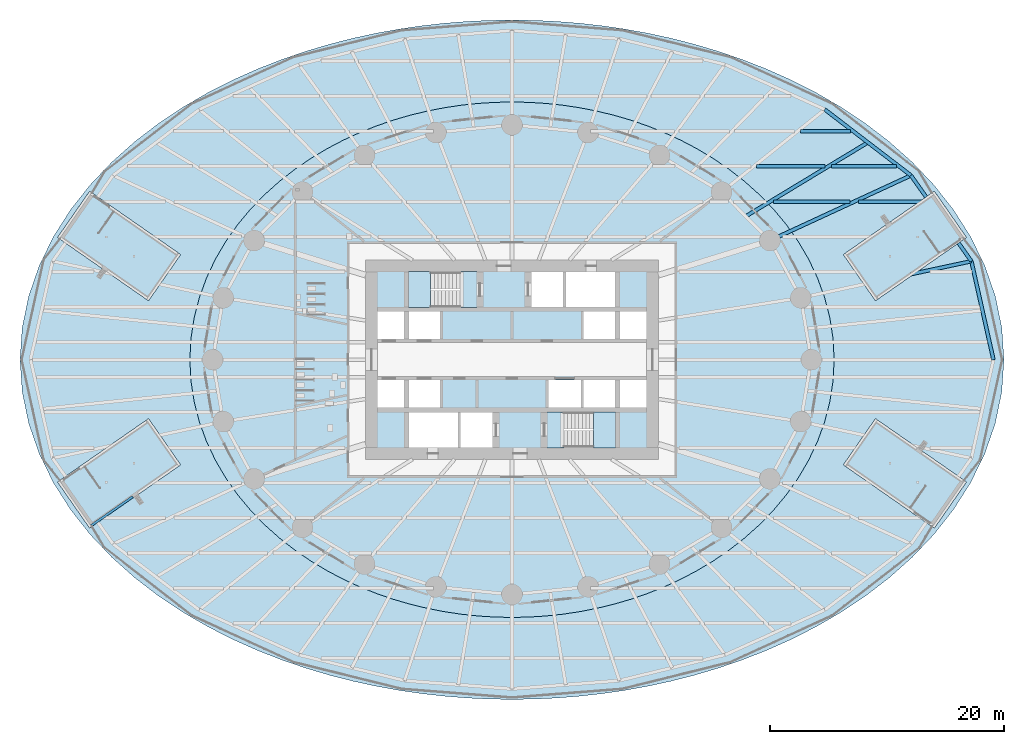
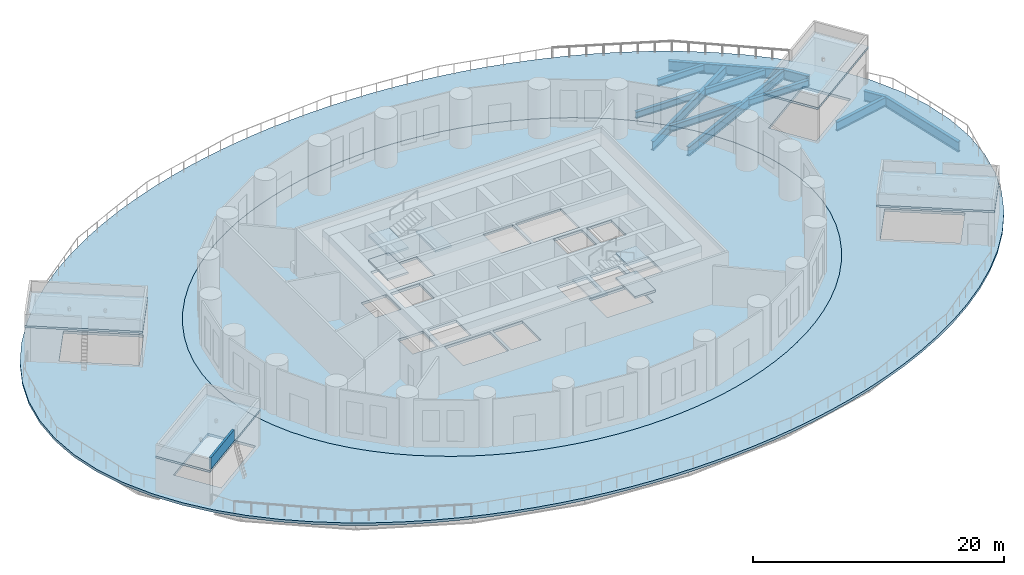
# One storey, part 6 of 17: 12 beams, 12 slabs, 1 wall, 2 elements without a shape of their own.
"""IFC4 building model written with IfcOpenShell, lengths in metres."""

from ifc_helpers import new_model, si_unit, direction, frame, frame_2d, origin, origin_2d, place, context, subcontext, project, spatial, polyline, rectangle, i_section, outline, extrude, material, layer, layer_set, material_profile, profile_set, type_object, element, aggregate, save


model = new_model("IFC4")

# Units and contexts
model_context = context("Model", 3, precision=1e-05, world=origin(), true_north=direction((0.0, 1.0)))
body_context = subcontext(model_context, "Body", "Model", "MODEL_VIEW")
ifc_project = project(units=[si_unit("LENGTHUNIT", "METRE"), si_unit("AREAUNIT", "SQUARE_METRE"), si_unit("VOLUMEUNIT", "CUBIC_METRE"), si_unit("PLANEANGLEUNIT", "RADIAN"), si_unit("MASSUNIT", "GRAM", prefix="KILO")], contexts=[model_context])

# Site, building, storey
site_placement = place(None, origin())
site = spatial("IfcSite", under=ifc_project, at=site_placement, CompositionType="ELEMENT")
building_placement = place(site_placement, origin())
building = spatial("IfcBuilding", under=site, at=building_placement, Name="Hankou Lantern Tower", CompositionType="ELEMENT")
storey_placement = place(building_placement, frame((0.0, 0.0, 24.60009765625)))
storey = spatial("IfcBuildingStorey", under=building, at=storey_placement, Name="L04", CompositionType="ELEMENT", Elevation=24.60009765625)

# Beams
ifc_material_1 = material(Name="Steel Q355B", Category="steel")
ifc_material_profile_1 = material_profile(ifc_material_1, i_section(OverallWidth=0.300048828125, OverallDepth=0.89990234375, WebThickness=0.01611328125, FlangeThickness=0.028076171875, FilletRadius=0.01806640625, at=origin_2d()), Name="HN900x300x16x28")
ifc_profile_set_1 = profile_set([ifc_material_profile_1], Name="Steel Q355B")
beam_type_1 = type_object("IfcBeamType", Name="PB13 PODIUM RADIAL BEAM HN900x300x16x28", PredefinedType="BEAM", material=ifc_profile_set_1)
beam_1_placement = place(storey_placement, frame((34.01025390625, 7.29052734375, -0.7001953125), z_axis=(0.977788323488, 0.209594834028, 0.0), x_axis=(-0.209594834028, 0.977788323488, 0.0)))
element("IfcBeam", 1, at=beam_1_placement, inside=storey, type_object=beam_type_1, Name="Podium radial beam R02 L04 outer part", PredefinedType="BEAM", context=body_context, shape_type="SweptSolid", body=[
    extrude(i_section(OverallWidth=0.300048828125, OverallDepth=0.89990234375, WebThickness=0.01611328125, FlangeThickness=0.028076171875, FilletRadius=0.01806640625, at=origin_2d()), origin(), (0.0, 0.0, 1.0), 5.32568359375),
])
beam_2_placement = place(storey_placement, frame((22.01904296875, 10.170166015625, -0.7001953125), z_axis=(0.907840792808, 0.419315030633, 0.0), x_axis=(-0.419315030633, 0.907840792808, 0.0)))
element("IfcBeam", 2, at=beam_2_placement, inside=storey, type_object=beam_type_1, Name="Podium radial beam R03 L04", PredefinedType="BEAM", context=body_context, shape_type="SweptSolid", body=[
    extrude(i_section(OverallWidth=0.300048828125, OverallDepth=0.89990234375, WebThickness=0.01611328125, FlangeThickness=0.028076171875, FilletRadius=0.01806640625, at=origin_2d()), origin(), (0.0, 0.0, 1.0), 13.259765625),
])
ifc_material_2 = material(Name="Steel Q355B", Category="steel")
ifc_material_profile_2 = material_profile(ifc_material_2, i_section(OverallWidth=0.300048828125, OverallDepth=1.0, WebThickness=0.01904296875, FlangeThickness=0.035888671875, FilletRadius=0.01806640625, at=origin_2d()), Name="HN1000x300x19x36")
ifc_profile_set_2 = profile_set([ifc_material_profile_2], Name="Steel Q355B")
beam_type_2 = type_object("IfcBeamType", Name="PR22 PODIUM RING BEAM HN1000x300x19x36", PredefinedType="BEAM", material=ifc_profile_set_2)
beam_3_placement = place(storey_placement, frame((41.10009765625, 0.0, -0.75), z_axis=(-0.218523498172, 0.975831686689, 0.0), x_axis=(-0.975831686689, -0.218523498172, 0.0)))
element("IfcBeam", 3, at=beam_3_placement, inside=storey, type_object=beam_type_2, Name="Podium ring beam R01-R02 L04", PredefinedType="BEAM", context=body_context, shape_type="SweptSolid", body=[
    extrude(i_section(OverallWidth=0.300048828125, OverallDepth=1.0, WebThickness=0.01904296875, FlangeThickness=0.035888671875, FilletRadius=0.01806640625, at=origin_2d()), origin(), (0.0, 0.0, 1.0), 8.614990234375),
])
beam_4_placement = place(storey_placement, frame((39.217529296875, 8.40673828125, -0.75), z_axis=(-0.576019631526, 0.817435859317, 0.0), x_axis=(-0.817435859317, -0.576019631526, 0.0)))
element("IfcBeam", 4, at=beam_4_placement, inside=storey, type_object=beam_type_2, Name="Podium ring beam R02-R03 L04 west part", PredefinedType="BEAM", context=body_context, shape_type="SweptSolid", body=[
    extrude(i_section(OverallWidth=0.300048828125, OverallDepth=1.0, WebThickness=0.01904296875, FlangeThickness=0.035888671875, FilletRadius=0.01806640625, at=origin_2d()), origin(), (0.0, 0.0, 1.0), 1.9072265625),
])
beam_5_placement = place(storey_placement, frame((35.35400390625, 13.889404296875, -0.75), z_axis=(-0.576006222853, 0.817445307794, 0.0), x_axis=(-0.817445307794, -0.576006222853, 0.0)))
element("IfcBeam", 5, at=beam_5_placement, inside=storey, type_object=beam_type_2, Name="Podium ring beam R02-R03 L04 east part", PredefinedType="BEAM", context=body_context, shape_type="SweptSolid", body=[
    extrude(i_section(OverallWidth=0.300048828125, OverallDepth=1.0, WebThickness=0.01904296875, FlangeThickness=0.035888671875, FilletRadius=0.01806640625, at=origin_2d()), origin(), (0.0, 0.0, 1.0), 2.251953125),
])
beam_6_placement = place(storey_placement, frame((34.056884765625, 15.730224609375, -0.75), z_axis=(-0.793985875103, 0.607936205647, 0.0), x_axis=(-0.607936205647, -0.793985875103, 0.0)))
element("IfcBeam", 6, at=beam_6_placement, inside=storey, type_object=beam_type_2, Name="Podium ring beam R03-R04 L04", PredefinedType="BEAM", context=body_context, shape_type="SweptSolid", body=[
    extrude(i_section(OverallWidth=0.300048828125, OverallDepth=1.0, WebThickness=0.01904296875, FlangeThickness=0.035888671875, FilletRadius=0.01806640625, at=origin_2d()), origin(), (0.0, 0.0, 1.0), 9.262939453125),
])
ifc_material_3 = material(Name="Steel Q355B", Category="steel")
ifc_material_profile_3 = material_profile(ifc_material_3, i_section(OverallWidth=0.300048828125, OverallDepth=0.89990234375, WebThickness=0.01611328125, FlangeThickness=0.028076171875, FilletRadius=0.01806640625, at=origin_2d()), Name="HN900x300x16x28")
ifc_profile_set_3 = profile_set([ifc_material_profile_3], Name="Steel Q355B")
beam_type_3 = type_object("IfcBeamType", Name="PS13 PODIUM SECONDARY BEAM HN900x300x16x28", PredefinedType="JOIST", material=ifc_profile_set_3)
beam_7_placement = place(storey_placement, frame((19.955322265625, 12.24169921875, -0.7001953125), z_axis=(0.855685755165, 0.517495785884, 0.0), x_axis=(-0.517495785884, 0.855685755165, 0.0)))
element("IfcBeam", 7, at=beam_7_placement, inside=storey, type_object=beam_type_3, Name="Podium secondary beam bay R03 L04", PredefinedType="JOIST", context=body_context, shape_type="SweptSolid", body=[
    extrude(i_section(OverallWidth=0.300048828125, OverallDepth=0.89990234375, WebThickness=0.01611328125, FlangeThickness=0.028076171875, FilletRadius=0.01806640625, at=origin_2d()), origin(), (0.0, 0.0, 1.0), 12.18212890625),
])
ifc_material_4 = material(Name="Steel Q355B", Category="steel")
ifc_material_profile_4 = material_profile(ifc_material_4, i_section(OverallWidth=0.300048828125, OverallDepth=0.64990234375, WebThickness=0.010986328125, FlangeThickness=0.01708984375, FilletRadius=0.01806640625, at=origin_2d()), Name="HN650x300x11x17")
ifc_profile_set_4 = profile_set([ifc_material_profile_4], Name="Steel Q355B")
beam_type_4 = type_object("IfcBeamType", Name="SB8 SECONDARY BEAM HN650x300x11x17", PredefinedType="JOIST", material=ifc_profile_set_4)
beam_8_placement = place(storey_placement, frame((22.32568359375, 13.5, -0.5751953125), z_axis=(1.0, 0.0, 0.0), x_axis=(0.0, 1.0, 0.0)))
element("IfcBeam", 8, at=beam_8_placement, inside=storey, type_object=beam_type_4, Name="Floor joist JT067 L04", PredefinedType="JOIST", context=body_context, shape_type="SweptSolid", body=[
    extrude(i_section(OverallWidth=0.300048828125, OverallDepth=0.64990234375, WebThickness=0.010986328125, FlangeThickness=0.01708984375, FilletRadius=0.01806640625, at=origin_2d()), origin(), (0.0, 0.0, 1.0), 6.544921875),
])
beam_9_placement = place(storey_placement, frame((29.586181640625, 13.5, -0.5751953125), z_axis=(1.0, 0.0, 0.0), x_axis=(0.0, 1.0, 0.0)))
element("IfcBeam", 9, at=beam_9_placement, inside=storey, type_object=beam_type_4, Name="Floor joist JT068 L04", PredefinedType="JOIST", context=body_context, shape_type="SweptSolid", body=[
    extrude(i_section(OverallWidth=0.300048828125, OverallDepth=0.64990234375, WebThickness=0.010986328125, FlangeThickness=0.01708984375, FilletRadius=0.01806640625, at=origin_2d()), origin(), (0.0, 0.0, 1.0), 5.470703125),
])
beam_10_placement = place(storey_placement, frame((20.865234375, 16.5, -0.5751953125), z_axis=(1.0, 0.0, 0.0), x_axis=(0.0, 1.0, 0.0)))
element("IfcBeam", 10, at=beam_10_placement, inside=storey, type_object=beam_type_4, Name="Floor joist JT073 L04", PredefinedType="JOIST", context=body_context, shape_type="SweptSolid", body=[
    extrude(i_section(OverallWidth=0.300048828125, OverallDepth=0.64990234375, WebThickness=0.010986328125, FlangeThickness=0.01708984375, FilletRadius=0.01806640625, at=origin_2d()), origin(), (0.0, 0.0, 1.0), 5.84130859375),
])
beam_11_placement = place(storey_placement, frame((27.286376953125, 16.5, -0.5751953125), z_axis=(1.0, 0.0, 0.0), x_axis=(0.0, 1.0, 0.0)))
element("IfcBeam", 11, at=beam_11_placement, inside=storey, type_object=beam_type_4, Name="Floor joist JT074 L04", PredefinedType="JOIST", context=body_context, shape_type="SweptSolid", body=[
    extrude(i_section(OverallWidth=0.300048828125, OverallDepth=0.64990234375, WebThickness=0.010986328125, FlangeThickness=0.01708984375, FilletRadius=0.01806640625, at=origin_2d()), origin(), (0.0, 0.0, 1.0), 5.518310546875),
])
beam_12_placement = place(storey_placement, frame((24.615234375, 19.5, -0.5751953125), z_axis=(1.0, 0.0, 0.0), x_axis=(0.0, 1.0, 0.0)))
element("IfcBeam", 12, at=beam_12_placement, inside=storey, type_object=beam_type_4, Name="Floor joist JT084 L04", PredefinedType="JOIST", context=body_context, shape_type="SweptSolid", body=[
    extrude(i_section(OverallWidth=0.300048828125, OverallDepth=0.64990234375, WebThickness=0.010986328125, FlangeThickness=0.01708984375, FilletRadius=0.01806640625, at=origin_2d()), origin(), (0.0, 0.0, 1.0), 4.271484375),
])

# Slabs
ifc_material_5 = material(Name="Concrete C50", Category="concrete")
ifc_layer_1 = layer(ifc_material_5, 0.25)
ifc_layer_set_1 = layer_set([ifc_layer_1], Name="Concrete C50")
slab_type_1 = type_object("IfcSlabType", Name="S2 HEAVY FLOOR SLAB 250", PredefinedType="FLOOR", material=ifc_layer_set_1)
slab_1_placement = place(storey_placement, frame((0.0, 0.0, -0.25)))
element("IfcSlab", 13, at=slab_1_placement, inside=storey, type_object=slab_type_1, Name="Floor slab L04", PredefinedType="FLOOR", context=body_context, shape_type="SweptSolid", body=[
    extrude(outline(polyline([(27.5, 0.0), (27.408203125, 1.79638671875), (27.135009765625, 3.572509765625), (26.6875, 5.308349609375), (26.076171875, 6.987060546875), (25.3154296875, 8.593505859375), (24.420654296875, 10.115478515625), (23.40966796875, 11.54443359375), (22.29931640625, 12.87451171875), (21.1064453125, 14.102783203125), (19.846435546875, 15.228759765625), (18.533447265625, 16.25341796875), (17.17919921875, 17.17919921875), (15.794189453125, 18.009765625), (14.38671875, 18.749267578125), (12.964111328125, 19.402099609375), (11.53125, 19.972412109375), (10.09228515625, 20.46484375), (8.650146484375, 20.88330078125), (7.20703125, 21.23095703125), (5.763916015625, 21.51123046875), (4.32177734375, 21.7265625), (2.88037109375, 21.87890625), (1.43994140625, 21.9697265625), (0.0, 22.0), (-1.43994140625, 21.9697265625), (-2.88037109375, 21.87890625), (-4.32177734375, 21.7265625), (-5.763916015625, 21.51123046875), (-7.20703125, 21.23095703125), (-8.650146484375, 20.88330078125), (-10.09228515625, 20.46484375), (-11.53125, 19.972412109375), (-12.964111328125, 19.402099609375), (-14.38671875, 18.749267578125), (-15.794189453125, 18.009765625), (-17.17919921875, 17.17919921875), (-18.533447265625, 16.25341796875), (-19.846435546875, 15.228759765625), (-21.1064453125, 14.102783203125), (-22.29931640625, 12.87451171875), (-23.40966796875, 11.54443359375), (-24.420654296875, 10.115478515625), (-25.3154296875, 8.593505859375), (-26.076171875, 6.987060546875), (-26.6875, 5.308349609375), (-27.135009765625, 3.572509765625), (-27.408203125, 1.79638671875), (-27.5, 0.0), (-27.408203125, -1.79638671875), (-27.135009765625, -3.572509765625), (-26.6875, -5.308349609375), (-26.076171875, -6.987060546875), (-25.3154296875, -8.593505859375), (-24.420654296875, -10.115478515625), (-23.40966796875, -11.54443359375), (-22.29931640625, -12.87451171875), (-21.1064453125, -14.102783203125), (-19.846435546875, -15.228759765625), (-18.533447265625, -16.25341796875), (-17.17919921875, -17.17919921875), (-15.794189453125, -18.009765625), (-14.38671875, -18.749267578125), (-12.964111328125, -19.402099609375), (-11.53125, -19.972412109375), (-10.09228515625, -20.46484375), (-8.650146484375, -20.88330078125), (-7.20703125, -21.23095703125), (-5.763916015625, -21.51123046875), (-4.32177734375, -21.7265625), (-2.88037109375, -21.87890625), (-1.43994140625, -21.9697265625), (0.0, -22.0), (1.43994140625, -21.9697265625), (2.88037109375, -21.87890625), (4.32177734375, -21.7265625), (5.763916015625, -21.51123046875), (7.20703125, -21.23095703125), (8.650146484375, -20.88330078125), (10.09228515625, -20.46484375), (11.53125, -19.972412109375), (12.964111328125, -19.402099609375), (14.38671875, -18.749267578125), (15.794189453125, -18.009765625), (17.17919921875, -17.17919921875), (18.533447265625, -16.25341796875), (19.846435546875, -15.228759765625), (21.1064453125, -14.102783203125), (22.29931640625, -12.87451171875), (23.40966796875, -11.54443359375), (24.420654296875, -10.115478515625), (25.3154296875, -8.593505859375), (26.076171875, -6.987060546875), (26.6875, -5.308349609375), (27.135009765625, -3.572509765625), (27.408203125, -1.79638671875), (27.5, 0.0)]), holes=[polyline([(-11.5, 4.10009765625), (-9.199951171875, 4.10009765625), (-9.199951171875, 1.75), (-11.5, 1.75), (-11.5, 4.10009765625)]), polyline([(-8.800048828125, 4.10009765625), (-6.125, 4.10009765625), (-6.125, 1.75), (-8.800048828125, 1.75), (-8.800048828125, 4.10009765625)]), polyline([(6.125, 4.10009765625), (8.800048828125, 4.10009765625), (8.800048828125, 1.75), (6.125, 1.75), (6.125, 4.10009765625)]), polyline([(9.199951171875, 4.10009765625), (11.5, 4.10009765625), (11.5, 1.75), (9.199951171875, 1.75), (9.199951171875, 4.10009765625)]), polyline([(-11.5, -1.75), (-9.199951171875, -1.75), (-9.199951171875, -4.10009765625), (-11.5, -4.10009765625), (-11.5, -1.75)]), polyline([(-8.800048828125, -1.75), (-6.125, -1.75), (-6.125, -4.10009765625), (-8.800048828125, -4.10009765625), (-8.800048828125, -1.75)]), polyline([(3.125, -1.75), (5.875, -1.75), (5.875, -4.10009765625), (3.125, -4.10009765625), (3.125, -1.75)]), polyline([(6.125, -1.75), (8.800048828125, -1.75), (8.800048828125, -4.10009765625), (6.125, -4.10009765625), (6.125, -1.75)]), polyline([(9.199951171875, -1.75), (11.5, -1.75), (11.5, -4.10009765625), (9.199951171875, -4.10009765625), (9.199951171875, -1.75)]), polyline([(1.64990234375, 7.5), (4.375, 7.5), (4.375, 4.5), (1.64990234375, 4.5), (1.64990234375, 7.5)]), polyline([(-4.375, -4.5), (-1.64990234375, -4.5), (-1.64990234375, -7.5), (-4.375, -7.5), (-4.375, -4.5)]), polyline([(-8.699951171875, 7.449951171875), (-4.449951171875, 7.449951171875), (-4.449951171875, 4.5), (-8.699951171875, 4.5), (-8.699951171875, 7.449951171875)]), polyline([(4.449951171875, -4.5), (8.699951171875, -4.5), (8.699951171875, -7.449951171875), (4.449951171875, -7.449951171875), (4.449951171875, -4.5)]), polyline([(4.625, 7.5), (8.800048828125, 7.5), (8.800048828125, 4.5), (4.625, 4.5), (4.625, 7.5)]), polyline([(-8.800048828125, -4.5), (-4.625, -4.5), (-4.625, -7.5), (-8.800048828125, -7.5), (-8.800048828125, -4.5)])]), origin(), (0.0, 0.0, 1.0), 0.25),
])
ifc_material_6 = material(Name="Concrete C50", Category="concrete")
ifc_layer_2 = layer(ifc_material_6, 0.25)
ifc_layer_set_2 = layer_set([ifc_layer_2], Name="Concrete C50")
slab_type_2 = type_object("IfcSlabType", Name="S5 ROOF TERRACE SLAB 250", PredefinedType="ROOF", material=ifc_layer_set_2)
slab_2_placement = place(storey_placement, frame((0.0, 0.0, -0.25)))
element("IfcSlab", 14, at=slab_2_placement, inside=storey, type_object=slab_type_2, Name="Podium roof terrace", PredefinedType="ROOF", context=body_context, shape_type="SweptSolid", body=[
    extrude(outline(polyline([(42.0, 0.0), (41.81201171875, 2.740478515625), (41.2568359375, 5.431640625), (40.358642578125, 8.02783203125), (39.155029296875, 10.491455078125), (37.69140625, 12.79443359375), (36.016357421875, 14.91845703125), (34.177978515625, 16.854736328125), (32.220458984375, 18.6025390625), (30.181884765625, 20.166748046875), (28.09375, 21.55712890625), (25.981689453125, 22.78515625), (23.864013671875, 23.864013671875), (21.7548828125, 24.806640625), (19.6630859375, 25.62548828125), (17.594970703125, 26.33251953125), (15.552978515625, 26.9384765625), (13.537841796875, 27.4521484375), (11.549072265625, 27.882080078125), (9.58447265625, 28.23486328125), (7.640869140625, 28.51611328125), (5.71484375, 28.730224609375), (3.80224609375, 28.880859375), (1.89892578125, 28.970458984375), (0.0, 29.0), (-1.89892578125, 28.970458984375), (-3.80224609375, 28.880859375), (-5.71484375, 28.730224609375), (-7.640869140625, 28.51611328125), (-9.58447265625, 28.23486328125), (-11.549072265625, 27.882080078125), (-13.537841796875, 27.4521484375), (-15.552978515625, 26.9384765625), (-17.594970703125, 26.33251953125), (-19.6630859375, 25.62548828125), (-21.7548828125, 24.806640625), (-23.864013671875, 23.864013671875), (-25.981689453125, 22.78515625), (-28.09375, 21.55712890625), (-30.181884765625, 20.166748046875), (-32.220458984375, 18.6025390625), (-34.177978515625, 16.854736328125), (-36.016357421875, 14.91845703125), (-37.69140625, 12.79443359375), (-39.155029296875, 10.491455078125), (-40.358642578125, 8.02783203125), (-41.2568359375, 5.431640625), (-41.81201171875, 2.740478515625), (-42.0, 0.0), (-41.81201171875, -2.740478515625), (-41.2568359375, -5.431640625), (-40.358642578125, -8.02783203125), (-39.155029296875, -10.491455078125), (-37.69140625, -12.79443359375), (-36.016357421875, -14.91845703125), (-34.177978515625, -16.854736328125), (-32.220458984375, -18.6025390625), (-30.181884765625, -20.166748046875), (-28.09375, -21.55712890625), (-25.981689453125, -22.78515625), (-23.864013671875, -23.864013671875), (-21.7548828125, -24.806640625), (-19.6630859375, -25.62548828125), (-17.594970703125, -26.33251953125), (-15.552978515625, -26.9384765625), (-13.537841796875, -27.4521484375), (-11.549072265625, -27.882080078125), (-9.58447265625, -28.23486328125), (-7.640869140625, -28.51611328125), (-5.71484375, -28.730224609375), (-3.80224609375, -28.880859375), (-1.89892578125, -28.970458984375), (0.0, -29.0), (1.89892578125, -28.970458984375), (3.80224609375, -28.880859375), (5.71484375, -28.730224609375), (7.640869140625, -28.51611328125), (9.58447265625, -28.23486328125), (11.549072265625, -27.882080078125), (13.537841796875, -27.4521484375), (15.552978515625, -26.9384765625), (17.594970703125, -26.33251953125), (19.6630859375, -25.62548828125), (21.7548828125, -24.806640625), (23.864013671875, -23.864013671875), (25.981689453125, -22.78515625), (28.09375, -21.55712890625), (30.181884765625, -20.166748046875), (32.220458984375, -18.6025390625), (34.177978515625, -16.854736328125), (36.016357421875, -14.91845703125), (37.69140625, -12.79443359375), (39.155029296875, -10.491455078125), (40.358642578125, -8.02783203125), (41.2568359375, -5.431640625), (41.81201171875, -2.740478515625), (42.0, 0.0)]), holes=[polyline([(27.408203125, -1.79638671875), (27.135009765625, -3.572509765625), (26.6875, -5.308349609375), (26.076171875, -6.987060546875), (25.3154296875, -8.593505859375), (24.420654296875, -10.115478515625), (23.40966796875, -11.54443359375), (22.29931640625, -12.87451171875), (21.1064453125, -14.102783203125), (19.846435546875, -15.228759765625), (18.533447265625, -16.25341796875), (17.17919921875, -17.17919921875), (15.794189453125, -18.009765625), (14.38671875, -18.749267578125), (12.964111328125, -19.402099609375), (11.53125, -19.972412109375), (10.09228515625, -20.46484375), (8.650146484375, -20.88330078125), (7.20703125, -21.23095703125), (5.763916015625, -21.51123046875), (4.32177734375, -21.7265625), (2.88037109375, -21.87890625), (1.43994140625, -21.9697265625), (0.0, -22.0), (-1.43994140625, -21.9697265625), (-2.88037109375, -21.87890625), (-4.32177734375, -21.7265625), (-5.763916015625, -21.51123046875), (-7.20703125, -21.23095703125), (-8.650146484375, -20.88330078125), (-10.09228515625, -20.46484375), (-11.53125, -19.972412109375), (-12.964111328125, -19.402099609375), (-14.38671875, -18.749267578125), (-15.794189453125, -18.009765625), (-17.17919921875, -17.17919921875), (-18.533447265625, -16.25341796875), (-19.846435546875, -15.228759765625), (-21.1064453125, -14.102783203125), (-22.29931640625, -12.87451171875), (-23.40966796875, -11.54443359375), (-24.420654296875, -10.115478515625), (-25.3154296875, -8.593505859375), (-26.076171875, -6.987060546875), (-26.6875, -5.308349609375), (-27.135009765625, -3.572509765625), (-27.408203125, -1.79638671875), (-27.5, 0.0), (-27.408203125, 1.79638671875), (-27.135009765625, 3.572509765625), (-26.6875, 5.308349609375), (-26.076171875, 6.987060546875), (-25.3154296875, 8.593505859375), (-24.420654296875, 10.115478515625), (-23.40966796875, 11.54443359375), (-22.29931640625, 12.87451171875), (-21.1064453125, 14.102783203125), (-19.846435546875, 15.228759765625), (-18.533447265625, 16.25341796875), (-17.17919921875, 17.17919921875), (-15.794189453125, 18.009765625), (-14.38671875, 18.749267578125), (-12.964111328125, 19.402099609375), (-11.53125, 19.972412109375), (-10.09228515625, 20.46484375), (-8.650146484375, 20.88330078125), (-7.20703125, 21.23095703125), (-5.763916015625, 21.51123046875), (-4.32177734375, 21.7265625), (-2.88037109375, 21.87890625), (-1.43994140625, 21.9697265625), (0.0, 22.0), (1.43994140625, 21.9697265625), (2.88037109375, 21.87890625), (4.32177734375, 21.7265625), (5.763916015625, 21.51123046875), (7.20703125, 21.23095703125), (8.650146484375, 20.88330078125), (10.09228515625, 20.46484375), (11.53125, 19.972412109375), (12.964111328125, 19.402099609375), (14.38671875, 18.749267578125), (15.794189453125, 18.009765625), (17.17919921875, 17.17919921875), (18.533447265625, 16.25341796875), (19.846435546875, 15.228759765625), (21.1064453125, 14.102783203125), (22.29931640625, 12.87451171875), (23.40966796875, 11.54443359375), (24.420654296875, 10.115478515625), (25.3154296875, 8.593505859375), (26.076171875, 6.987060546875), (26.6875, 5.308349609375), (27.135009765625, 3.572509765625), (27.408203125, 1.79638671875), (27.5, 0.0), (27.408203125, -1.79638671875)]), polyline([(31.104248046875, 5.451904296875), (28.7060546875, 8.899658203125), (33.968017578125, 12.56005859375), (36.366455078125, 9.112060546875), (31.104248046875, 5.451904296875)]), polyline([(-28.7060546875, 8.899658203125), (-31.104248046875, 5.451904296875), (-36.366455078125, 9.112060546875), (-33.968017578125, 12.56005859375), (-28.7060546875, 8.899658203125)]), polyline([(-31.104248046875, -5.451904296875), (-28.7060546875, -8.899658203125), (-33.968017578125, -12.56005859375), (-36.366455078125, -9.112060546875), (-31.104248046875, -5.451904296875)]), polyline([(28.7060546875, -8.899658203125), (31.104248046875, -5.451904296875), (36.366455078125, -9.112060546875), (33.968017578125, -12.56005859375), (28.7060546875, -8.899658203125)])]), origin(), (0.0, 0.0, 1.0), 0.25),
])
ifc_material_7 = material(Name="Concrete C40", Category="concrete")
ifc_layer_3 = layer(ifc_material_7, 0.199951171875)
ifc_layer_set_3 = layer_set([ifc_layer_3], Name="Concrete C40")
slab_type_3 = type_object("IfcSlabType", Name="S6 STAIR HEAD-HOUSE ROOF 200", PredefinedType="ROOF", material=ifc_layer_set_3)
slab_3_placement = place(storey_placement, frame((0.0, 0.0, 3.2998046875)))
element("IfcSlab", 15, at=slab_3_placement, inside=storey, type_object=slab_type_3, Name="Podium stair P1 roof", PredefinedType="ROOF", context=body_context, shape_type="SweptSolid", body=[
    extrude(outline(polyline([(38.79541015625, 10.436279296875), (36.054443359375, 14.376708984375), (28.288330078125, 8.974609375), (31.029296875, 5.0341796875), (38.79541015625, 10.436279296875)])), origin(), (0.0, 0.0, 1.0), 0.2001953125),
])
slab_4_placement = place(storey_placement, frame((0.0, 0.0, 3.2998046875)))
element("IfcSlab", 16, at=slab_4_placement, inside=storey, type_object=slab_type_3, Name="Podium stair P2 roof", PredefinedType="ROOF", context=body_context, shape_type="SweptSolid", body=[
    extrude(outline(polyline([(-36.054443359375, 14.376708984375), (-38.79541015625, 10.436279296875), (-31.029296875, 5.0341796875), (-28.288330078125, 8.974609375), (-36.054443359375, 14.376708984375)])), origin(), (0.0, 0.0, 1.0), 0.2001953125),
])
slab_5_placement = place(storey_placement, frame((0.0, 0.0, 3.2998046875)))
element("IfcSlab", 17, at=slab_5_placement, inside=storey, type_object=slab_type_3, Name="Podium stair P3 roof", PredefinedType="ROOF", context=body_context, shape_type="SweptSolid", body=[
    extrude(outline(polyline([(-38.79541015625, -10.436279296875), (-36.054443359375, -14.376708984375), (-28.288330078125, -8.974609375), (-31.029296875, -5.0341796875), (-38.79541015625, -10.436279296875)])), origin(), (0.0, 0.0, 1.0), 0.2001953125),
])
slab_6_placement = place(storey_placement, frame((0.0, 0.0, 3.2998046875)))
element("IfcSlab", 18, at=slab_6_placement, inside=storey, type_object=slab_type_3, Name="Podium stair P4 roof", PredefinedType="ROOF", context=body_context, shape_type="SweptSolid", body=[
    extrude(outline(polyline([(36.054443359375, -14.376708984375), (38.79541015625, -10.436279296875), (31.029296875, -5.0341796875), (28.288330078125, -8.974609375), (36.054443359375, -14.376708984375)])), origin(), (0.0, 0.0, 1.0), 0.2001953125),
])

# Stair, slabs
ifc_material_8 = material(Name="Concrete C40", Category="concrete")
stair_type = type_object("IfcStairType", Name="ST48 CORE STAIR 4800 RISE", PredefinedType="HALF_TURN_STAIR", material=ifc_material_8)
stair_1_placement = place(storey_placement, origin())
stair_1 = element("IfcStair", 19, at=stair_1_placement, inside=storey, type_object=stair_type, Name="Stair STA L04", PredefinedType="HALF_TURN_STAIR")
ifc_material_9 = material(Name="Concrete C40", Category="concrete")
ifc_layer_4 = layer(ifc_material_9, 0.199951171875)
ifc_layer_set_4 = layer_set([ifc_layer_4], Name="Concrete C40")
slab_type_4 = type_object("IfcSlabType", Name="SL1 STAIR LANDING 200", PredefinedType="LANDING", material=ifc_layer_set_4)
slab_7_placement = place(storey_placement, frame((0.0, 0.0, 1.0)))
slab_7 = element("IfcSlab", 20, at=slab_7_placement, type_object=slab_type_4, Name="STA landing 1", PredefinedType="LANDING", context=body_context, shape_type="SweptSolid", body=[
    extrude(outline(polyline([(-8.85009765625, 4.449951171875), (-6.949951171875, 4.449951171875), (-6.949951171875, 7.550048828125), (-8.85009765625, 7.550048828125), (-8.85009765625, 4.449951171875)])), origin(), (0.0, 0.0, 1.0), 0.199951171875),
])
slab_8_placement = place(storey_placement, frame((0.0, 0.0, 2.199951171875)))
slab_8 = element("IfcSlab", 21, at=slab_8_placement, type_object=slab_type_4, Name="STA landing 2", PredefinedType="LANDING", context=body_context, shape_type="SweptSolid", body=[
    extrude(outline(polyline([(-4.449951171875, 4.449951171875), (-3.0, 4.449951171875), (-3.0, 7.550048828125), (-4.449951171875, 7.550048828125), (-4.449951171875, 4.449951171875)])), origin(), (0.0, 0.0, 1.0), 0.199951171875),
])
slab_9_placement = place(storey_placement, frame((0.0, 0.0, 3.39990234375)))
slab_9 = element("IfcSlab", 22, at=slab_9_placement, type_object=slab_type_4, Name="STA landing 3", PredefinedType="LANDING", context=body_context, shape_type="SweptSolid", body=[
    extrude(outline(polyline([(-8.85009765625, 4.449951171875), (-6.949951171875, 4.449951171875), (-6.949951171875, 7.550048828125), (-8.85009765625, 7.550048828125), (-8.85009765625, 4.449951171875)])), origin(), (0.0, 0.0, 1.0), 0.199951171875),
])
aggregate(stair_1, [slab_7, slab_8, slab_9])

stair_2_placement = place(storey_placement, origin())
stair_2 = element("IfcStair", 23, at=stair_2_placement, inside=storey, type_object=stair_type, Name="Stair STB L04", PredefinedType="HALF_TURN_STAIR")
slab_10_placement = place(storey_placement, frame((0.0, 0.0, 1.0)))
slab_10 = element("IfcSlab", 24, at=slab_10_placement, type_object=slab_type_4, Name="STB landing 1", PredefinedType="LANDING", context=body_context, shape_type="SweptSolid", body=[
    extrude(outline(polyline([(8.85009765625, -4.449951171875), (6.949951171875, -4.449951171875), (6.949951171875, -7.550048828125), (8.85009765625, -7.550048828125), (8.85009765625, -4.449951171875)])), origin(), (0.0, 0.0, 1.0), 0.199951171875),
])
slab_11_placement = place(storey_placement, frame((0.0, 0.0, 2.199951171875)))
slab_11 = element("IfcSlab", 25, at=slab_11_placement, type_object=slab_type_4, Name="STB landing 2", PredefinedType="LANDING", context=body_context, shape_type="SweptSolid", body=[
    extrude(outline(polyline([(4.449951171875, -4.449951171875), (3.0, -4.449951171875), (3.0, -7.550048828125), (4.449951171875, -7.550048828125), (4.449951171875, -4.449951171875)])), origin(), (0.0, 0.0, 1.0), 0.199951171875),
])
slab_12_placement = place(storey_placement, frame((0.0, 0.0, 3.39990234375)))
slab_12 = element("IfcSlab", 26, at=slab_12_placement, type_object=slab_type_4, Name="STB landing 3", PredefinedType="LANDING", context=body_context, shape_type="SweptSolid", body=[
    extrude(outline(polyline([(8.85009765625, -4.449951171875), (6.949951171875, -4.449951171875), (6.949951171875, -7.550048828125), (8.85009765625, -7.550048828125), (8.85009765625, -4.449951171875)])), origin(), (0.0, 0.0, 1.0), 0.199951171875),
])
aggregate(stair_2, [slab_10, slab_11, slab_12])

# Wall
ifc_material_10 = material(Name="Precast concrete C40 spandrel", Category="concrete")
ifc_layer_5 = layer(ifc_material_10, 0.199951171875)
ifc_layer_set_5 = layer_set([ifc_layer_5], Name="Precast concrete C40 spandrel")
wall_type = type_object("IfcWallType", Name="EW3 SPANDREL WALL 200", PredefinedType="PARAPET", material=ifc_layer_set_5)
wall_placement = place(storey_placement, frame((-35.947265625, -14.180419921875, 3.5), z_axis=(0.0, 0.0, 1.0), x_axis=(0.820934908624, 0.571021782248, 0.0)))
element("IfcWall", 27, at=wall_placement, inside=storey, type_object=wall_type, Name="Podium stair P3 head-house roof parapet", PredefinedType="PARAPET", context=body_context, shape_type="SweptSolid", body=[
    extrude(rectangle(XDim=4.35498046875, YDim=0.199951171875, at=frame_2d((2.177490234375, 0.0))), origin(), (0.0, 0.0, 1.0), 1.099853515625),
])

save(model, "model.ifc")
